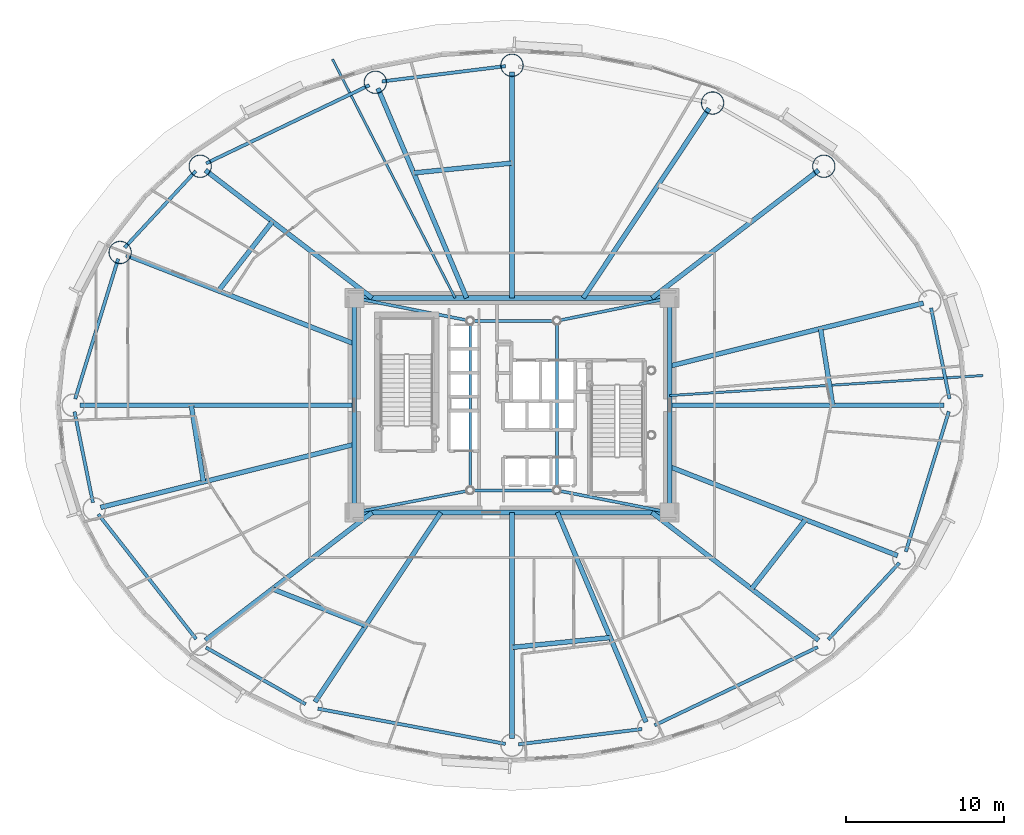
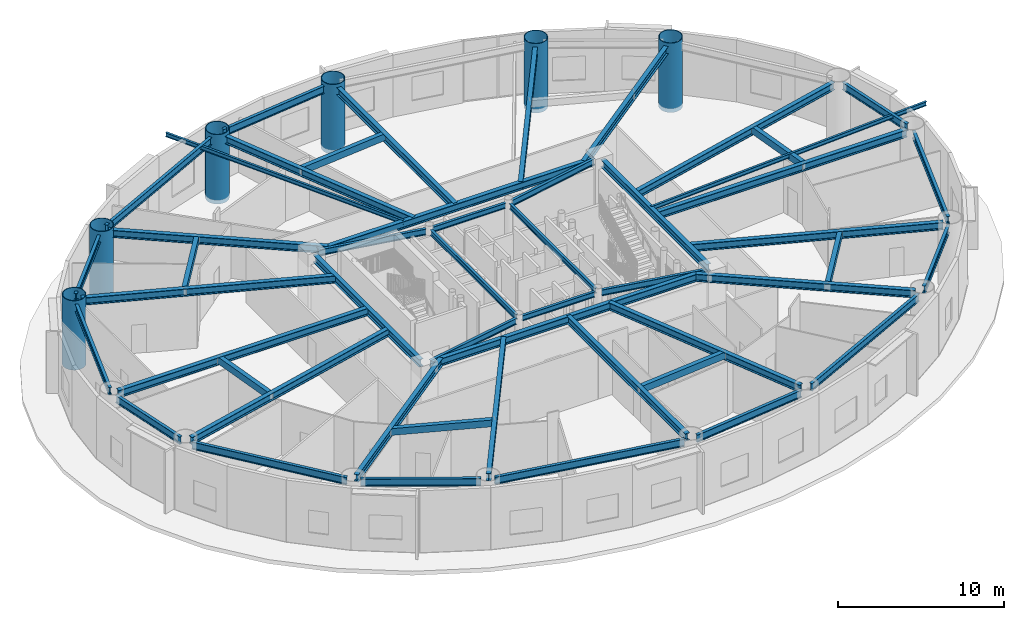
# One storey, part 3 of 19: 50 beams, 6 columns.
"""IFC4 building model written with IfcOpenShell, lengths in metres."""

from ifc_helpers import new_model, si_unit, direction, frame, origin, origin_2d, place, context, subcontext, project, spatial, hollow_rectangle, hollow_circle, i_section, extrude, material, material_profile, profile_set, type_object, element, save


model = new_model("IFC4")

# Units and contexts
model_context = context("Model", 3, precision=1e-05, world=origin(), true_north=direction((0.0, 1.0)))
body_context = subcontext(model_context, "Body", "Model", "MODEL_VIEW")
ifc_project = project(units=[si_unit("LENGTHUNIT", "METRE"), si_unit("AREAUNIT", "SQUARE_METRE"), si_unit("VOLUMEUNIT", "CUBIC_METRE"), si_unit("PLANEANGLEUNIT", "RADIAN"), si_unit("MASSUNIT", "GRAM", prefix="KILO")], contexts=[model_context])

# Site, building, storey
site_placement = place(None, origin())
site = spatial("IfcSite", under=ifc_project, at=site_placement, CompositionType="ELEMENT")
building_placement = place(site_placement, origin())
building = spatial("IfcBuilding", under=site, at=building_placement, Name="Linh Dai School and Residence Tower", CompositionType="ELEMENT")
storey_placement = place(building_placement, frame((0.0, 0.0, 92.39990234375)))
storey = spatial("IfcBuildingStorey", under=building, at=storey_placement, Name="L21", CompositionType="ELEMENT", Elevation=92.39990234375)

# Columns
ifc_material = material(Name="Structural Steel S355JR", Category="steel")
ifc_material_profile_1 = material_profile(ifc_material, hollow_circle(Radius=0.72509765625, WallThickness=0.0419921875, at=origin_2d()), Name="CHS 1450x42")
ifc_profile_set_1 = profile_set([ifc_material_profile_1], Name="Structural Steel S355JR")
column_type = type_object("IfcColumnType", Name="COL-MC3", PredefinedType="COLUMN", material=ifc_profile_set_1)
for number, where, z_axis, x_axis, name in (
    (1, (55.772705078125, 42.155517578125, -0.2998046875), (0.0, 0.0, 1.0), (1.0, 0.0, 0.0), "L21 Perimeter CFT Mega-Column MC03"),
    (2, (48.721923828125, 46.1650390625, -0.2998046875), (0.0, 0.0, 1.0), (1.0, 0.0, 0.0), "L21 Perimeter CFT Mega-Column MC04"),
    (3, (36.0, 48.554931640625, -0.2998046875), (0.0, 0.0, 1.0), (1.0, 0.0, 0.0), "L21 Perimeter CFT Mega-Column MC05"),
    (4, (27.33447265625, 47.480712890625, -0.2998046875), (0.0, 0.0, 1.0), (1.0, 0.0, 0.0), "L21 Perimeter CFT Mega-Column MC06"),
    (5, (16.227294921875, 42.155517578125, -0.2998046875), (0.0, 0.0, 1.0), (1.0, 0.0, 0.0), "L21 Perimeter CFT Mega-Column MC07"),
    (6, (11.15087890625, 36.6875, -0.2998046875), (0.0, 0.0, 1.0), (1.0, 0.0, 0.0), "L21 Perimeter CFT Mega-Column MC08"),
):
    element("IfcColumn", number, at=place(storey_placement, frame(where, z_axis=z_axis, x_axis=x_axis)), inside=storey, type_object=column_type, Name=name, PredefinedType="COLUMN", context=body_context, shape_type="SweptSolid", body=[
        extrude(hollow_circle(Radius=0.72509765625, WallThickness=0.0419921875, at=origin_2d()), origin(), (0.0, 0.0, 1.0), 5.099853515625),
    ])

# Beams
ifc_material_profile_2 = material_profile(ifc_material, i_section(OverallWidth=0.14990234375, OverallDepth=0.300048828125, WebThickness=0.007080078125, FlangeThickness=0.0107421875, at=origin_2d()), Name="IPE 300")
ifc_profile_set_2 = profile_set([ifc_material_profile_2], Name="Structural Steel S355JR")
beam_type_1 = type_object("IfcBeamType", Name="BM-BALC-CANT", PredefinedType="BEAM", material=ifc_profile_set_2)
beam_1_placement = place(storey_placement, frame((46.0, 27.614501953125, 4.400146484375), z_axis=(0.997959538663, 0.063849504236, 0.0), x_axis=(-0.063849504236, 0.997959538663, 0.0)))
element("IfcBeam", 7, at=beam_1_placement, inside=storey, type_object=beam_type_1, Name="L22 Balcony Continuous Cantilever Beam 01", PredefinedType="BEAM", context=body_context, shape_type="SweptSolid", body=[
    extrude(i_section(OverallWidth=0.14990234375, OverallDepth=0.300048828125, WebThickness=0.007080078125, FlangeThickness=0.0107421875, at=origin_2d()), origin(), (0.0, 0.0, 1.0), 19.91748046875),
])
beam_2_placement = place(storey_placement, frame((32.39501953125, 33.800048828125, 4.400146484375), z_axis=(-0.456823084527, 0.889557569493, 0.0), x_axis=(-0.889557569493, -0.456823084527, 0.0)))
element("IfcBeam", 8, at=beam_2_placement, inside=storey, type_object=beam_type_1, Name="L22 Balcony Continuous Cantilever Beam 13", PredefinedType="BEAM", context=body_context, shape_type="SweptSolid", body=[
    extrude(i_section(OverallWidth=0.14990234375, OverallDepth=0.300048828125, WebThickness=0.007080078125, FlangeThickness=0.0107421875, at=origin_2d()), origin(), (0.0, 0.0, 1.0), 17.027099609375),
])
ifc_material_profile_3 = material_profile(ifc_material, hollow_rectangle(XDim=0.300048828125, YDim=0.5, WallThickness=0.01611328125, at=origin_2d()), Name="RHS 500x300x16")
ifc_profile_set_3 = profile_set([ifc_material_profile_3], Name="Structural Steel S355JR")
beam_type_2 = type_object("IfcBeamType", Name="BM-BX5", PredefinedType="BEAM", material=ifc_profile_set_3)
beam_3_placement = place(storey_placement, frame((56.337646484375, 27.0048828125, 4.300048828125), z_axis=(-0.157026901302, 0.987594325757, 0.0), x_axis=(-0.987594325757, -0.157026901302, 0.0)))
element("IfcBeam", 9, at=beam_3_placement, inside=storey, type_object=beam_type_2, Name="L21 Secondary Circumferential Floor Beam 01", PredefinedType="BEAM", context=body_context, shape_type="SweptSolid", body=[
    extrude(hollow_rectangle(XDim=0.300048828125, YDim=0.5, WallThickness=0.01611328125, at=origin_2d()), origin(), (0.0, 0.0, 1.0), 4.91162109375),
])
beam_4_placement = place(storey_placement, frame((35.9951171875, 42.357421875, 4.300048828125), z_axis=(-0.995043370853, -0.099441893196, 0.0), x_axis=(0.099441893196, -0.995043370853, 0.0)))
element("IfcBeam", 10, at=beam_4_placement, inside=storey, type_object=beam_type_2, Name="L21 Secondary Circumferential Floor Beam 03", PredefinedType="BEAM", context=body_context, shape_type="SweptSolid", body=[
    extrude(hollow_rectangle(XDim=0.300048828125, YDim=0.5, WallThickness=0.01611328125, at=origin_2d()), origin(), (0.0, 0.0, 1.0), 6.255615234375),
])
beam_5_placement = place(storey_placement, frame((20.802734375, 38.64208984375, 4.300048828125), z_axis=(-0.614369629322, -0.789018351223, 0.0), x_axis=(0.789018351223, -0.614369629322, 0.0)))
element("IfcBeam", 11, at=beam_5_placement, inside=storey, type_object=beam_type_2, Name="L21 Secondary Circumferential Floor Beam 04", PredefinedType="BEAM", context=body_context, shape_type="SweptSolid", body=[
    extrude(hollow_rectangle(XDim=0.300048828125, YDim=0.5, WallThickness=0.01611328125, at=origin_2d()), origin(), (0.0, 0.0, 1.0), 5.553955078125),
])
beam_6_placement = place(storey_placement, frame((15.662353515625, 26.9951171875, 4.300048828125), z_axis=(0.157026901302, -0.987594325757, 0.0), x_axis=(0.987594325757, 0.157026901302, 0.0)))
element("IfcBeam", 12, at=beam_6_placement, inside=storey, type_object=beam_type_2, Name="L21 Secondary Circumferential Floor Beam 05", PredefinedType="BEAM", context=body_context, shape_type="SweptSolid", body=[
    extrude(hollow_rectangle(XDim=0.300048828125, YDim=0.5, WallThickness=0.01611328125, at=origin_2d()), origin(), (0.0, 0.0, 1.0), 4.91162109375),
])
beam_7_placement = place(storey_placement, frame((20.810546875, 15.35205078125, 4.300048828125), z_axis=(0.930742146732, -0.365676163151, 0.0), x_axis=(0.365676163151, 0.930742146732, 0.0)))
element("IfcBeam", 13, at=beam_7_placement, inside=storey, type_object=beam_type_2, Name="L21 Secondary Circumferential Floor Beam 06", PredefinedType="BEAM", context=body_context, shape_type="SweptSolid", body=[
    extrude(hollow_rectangle(XDim=0.300048828125, YDim=0.5, WallThickness=0.01611328125, at=origin_2d()), origin(), (0.0, 0.0, 1.0), 6.349853515625),
])
beam_8_placement = place(storey_placement, frame((36.0048828125, 11.642578125, 4.300048828125), z_axis=(0.995043370853, 0.099441893196, 0.0), x_axis=(-0.099441893196, 0.995043370853, 0.0)))
element("IfcBeam", 14, at=beam_8_placement, inside=storey, type_object=beam_type_2, Name="L21 Secondary Circumferential Floor Beam 07", PredefinedType="BEAM", context=body_context, shape_type="SweptSolid", body=[
    extrude(hollow_rectangle(XDim=0.300048828125, YDim=0.5, WallThickness=0.01611328125, at=origin_2d()), origin(), (0.0, 0.0, 1.0), 6.255615234375),
])
beam_9_placement = place(storey_placement, frame((51.197265625, 15.35791015625, 4.300048828125), z_axis=(0.614369629322, 0.789018351223, 0.0), x_axis=(-0.789018351223, 0.614369629322, 0.0)))
element("IfcBeam", 15, at=beam_9_placement, inside=storey, type_object=beam_type_2, Name="L21 Secondary Circumferential Floor Beam 08", PredefinedType="BEAM", context=body_context, shape_type="SweptSolid", body=[
    extrude(hollow_rectangle(XDim=0.300048828125, YDim=0.5, WallThickness=0.01611328125, at=origin_2d()), origin(), (0.0, 0.0, 1.0), 5.553955078125),
])
ifc_material_profile_4 = material_profile(ifc_material, i_section(OverallWidth=0.2099609375, OverallDepth=0.550048828125, WebThickness=0.010986328125, FlangeThickness=0.01708984375, FilletRadius=0.02392578125, at=origin_2d()), Name="IPE 550")
ifc_profile_set_4 = profile_set([ifc_material_profile_4], Name="Structural Steel S355JR")
beam_type_3 = type_object("IfcBeamType", Name="BM-RB55", PredefinedType="BEAM", material=ifc_profile_set_4)
beam_10_placement = place(storey_placement, frame((63.74169921875, 27.41162109375, 4.275146484375), z_axis=(-0.198441254313, 0.980112783605, 0.0), x_axis=(-0.980112783605, -0.198441254313, 0.0)))
element("IfcBeam", 16, at=beam_10_placement, inside=storey, type_object=beam_type_3, Name="L21 Perimeter Elliptical Ring Beam 01", PredefinedType="BEAM", context=body_context, shape_type="SweptSolid", body=[
    extrude(i_section(OverallWidth=0.2099609375, OverallDepth=0.550048828125, WebThickness=0.010986328125, FlangeThickness=0.01708984375, FilletRadius=0.02392578125, at=origin_2d()), origin(), (0.0, 0.0, 1.0), 5.874755859375),
])
beam_11_placement = place(storey_placement, frame((35.583251953125, 48.50341796875, 4.275146484375), z_axis=(-0.992399234854, -0.123059979933, 0.0), x_axis=(0.123059979933, -0.992399234854, 0.0)))
element("IfcBeam", 17, at=beam_11_placement, inside=storey, type_object=beam_type_3, Name="L21 Perimeter Elliptical Ring Beam 05", PredefinedType="BEAM", context=body_context, shape_type="SweptSolid", body=[
    extrude(i_section(OverallWidth=0.2099609375, OverallDepth=0.550048828125, WebThickness=0.010986328125, FlangeThickness=0.01708984375, FilletRadius=0.02392578125, at=origin_2d()), origin(), (0.0, 0.0, 1.0), 7.89208984375),
])
beam_12_placement = place(storey_placement, frame((26.955810546875, 47.299072265625, 4.275146484375), z_axis=(-0.901715153312, -0.432330640005, 0.0), x_axis=(0.432330640005, -0.901715153312, 0.0)))
element("IfcBeam", 18, at=beam_12_placement, inside=storey, type_object=beam_type_3, Name="L21 Perimeter Elliptical Ring Beam 06", PredefinedType="BEAM", context=body_context, shape_type="SweptSolid", body=[
    extrude(i_section(OverallWidth=0.2099609375, OverallDepth=0.550048828125, WebThickness=0.010986328125, FlangeThickness=0.01708984375, FilletRadius=0.02392578125, at=origin_2d()), origin(), (0.0, 0.0, 1.0), 11.477783203125),
])
beam_13_placement = place(storey_placement, frame((15.941650390625, 41.84765625, 4.275146484375), z_axis=(-0.680384623752, -0.732855213369, 0.0), x_axis=(0.732855213369, -0.680384623752, 0.0)))
element("IfcBeam", 19, at=beam_13_placement, inside=storey, type_object=beam_type_3, Name="L21 Perimeter Elliptical Ring Beam 07", PredefinedType="BEAM", context=body_context, shape_type="SweptSolid", body=[
    extrude(i_section(OverallWidth=0.2099609375, OverallDepth=0.550048828125, WebThickness=0.010986328125, FlangeThickness=0.01708984375, FilletRadius=0.02392578125, at=origin_2d()), origin(), (0.0, 0.0, 1.0), 6.62109375),
])
beam_14_placement = place(storey_placement, frame((11.027587890625, 36.2861328125, 4.275146484375), z_axis=(-0.29364097848, -0.95591577859, 0.0), x_axis=(0.95591577859, -0.29364097848, 0.0)))
element("IfcBeam", 20, at=beam_14_placement, inside=storey, type_object=beam_type_3, Name="L21 Perimeter Elliptical Ring Beam 08", PredefinedType="BEAM", context=body_context, shape_type="SweptSolid", body=[
    extrude(i_section(OverallWidth=0.2099609375, OverallDepth=0.550048828125, WebThickness=0.010986328125, FlangeThickness=0.01708984375, FilletRadius=0.02392578125, at=origin_2d()), origin(), (0.0, 0.0, 1.0), 9.29443359375),
])
beam_15_placement = place(storey_placement, frame((8.25830078125, 26.58837890625, 4.275146484375), z_axis=(0.198441254313, -0.980112783605, 0.0), x_axis=(0.980112783605, 0.198441254313, 0.0)))
element("IfcBeam", 21, at=beam_15_placement, inside=storey, type_object=beam_type_3, Name="L21 Perimeter Elliptical Ring Beam 09", PredefinedType="BEAM", context=body_context, shape_type="SweptSolid", body=[
    extrude(i_section(OverallWidth=0.2099609375, OverallDepth=0.550048828125, WebThickness=0.010986328125, FlangeThickness=0.01708984375, FilletRadius=0.02392578125, at=origin_2d()), origin(), (0.0, 0.0, 1.0), 5.874755859375),
])
beam_16_placement = place(storey_placement, frame((9.766357421875, 20.08837890625, 4.275146484375), z_axis=(0.616854830973, -0.787076945098, 0.0), x_axis=(0.787076945098, 0.616854830973, 0.0)))
element("IfcBeam", 22, at=beam_16_placement, inside=storey, type_object=beam_type_3, Name="L21 Perimeter Elliptical Ring Beam 10", PredefinedType="BEAM", context=body_context, shape_type="SweptSolid", body=[
    extrude(i_section(OverallWidth=0.2099609375, OverallDepth=0.550048828125, WebThickness=0.010986328125, FlangeThickness=0.01708984375, FilletRadius=0.02392578125, at=origin_2d()), origin(), (0.0, 0.0, 1.0), 10.053955078125),
])
beam_17_placement = place(storey_placement, frame((16.592529296875, 11.636962890625, 4.275146484375), z_axis=(0.86927031475, -0.494337050902, 0.0), x_axis=(0.494337050902, 0.86927031475, 0.0)))
element("IfcBeam", 23, at=beam_17_placement, inside=storey, type_object=beam_type_3, Name="L21 Perimeter Elliptical Ring Beam 11", PredefinedType="BEAM", context=body_context, shape_type="SweptSolid", body=[
    extrude(i_section(OverallWidth=0.2099609375, OverallDepth=0.550048828125, WebThickness=0.010986328125, FlangeThickness=0.01708984375, FilletRadius=0.02392578125, at=origin_2d()), origin(), (0.0, 0.0, 1.0), 7.270751953125),
])
beam_18_placement = place(storey_placement, frame((23.69091796875, 7.75732421875, 4.275146484375), z_axis=(0.982807507457, -0.184633158685, 0.0), x_axis=(0.184633158685, 0.982807507457, 0.0)))
element("IfcBeam", 24, at=beam_18_placement, inside=storey, type_object=beam_type_3, Name="L21 Perimeter Elliptical Ring Beam 12", PredefinedType="BEAM", context=body_context, shape_type="SweptSolid", body=[
    extrude(i_section(OverallWidth=0.2099609375, OverallDepth=0.550048828125, WebThickness=0.010986328125, FlangeThickness=0.01708984375, FilletRadius=0.02392578125, at=origin_2d()), origin(), (0.0, 0.0, 1.0), 12.104248046875),
])
beam_19_placement = place(storey_placement, frame((36.416748046875, 5.49658203125, 4.275146484375), z_axis=(0.992399234854, 0.123059979933, 0.0), x_axis=(-0.123059979933, 0.992399234854, 0.0)))
element("IfcBeam", 25, at=beam_19_placement, inside=storey, type_object=beam_type_3, Name="L21 Perimeter Elliptical Ring Beam 13", PredefinedType="BEAM", context=body_context, shape_type="SweptSolid", body=[
    extrude(i_section(OverallWidth=0.2099609375, OverallDepth=0.550048828125, WebThickness=0.010986328125, FlangeThickness=0.01708984375, FilletRadius=0.02392578125, at=origin_2d()), origin(), (0.0, 0.0, 1.0), 7.89208984375),
])
beam_20_placement = place(storey_placement, frame((45.044189453125, 6.700927734375, 4.275146484375), z_axis=(0.901715153312, 0.432330640005, 0.0), x_axis=(-0.432330640005, 0.901715153312, 0.0)))
element("IfcBeam", 26, at=beam_20_placement, inside=storey, type_object=beam_type_3, Name="L21 Perimeter Elliptical Ring Beam 14", PredefinedType="BEAM", context=body_context, shape_type="SweptSolid", body=[
    extrude(i_section(OverallWidth=0.2099609375, OverallDepth=0.550048828125, WebThickness=0.010986328125, FlangeThickness=0.01708984375, FilletRadius=0.02392578125, at=origin_2d()), origin(), (0.0, 0.0, 1.0), 11.477783203125),
])
beam_21_placement = place(storey_placement, frame((56.058349609375, 12.15234375, 4.275146484375), z_axis=(0.680384623752, 0.732855213369, 0.0), x_axis=(-0.732855213369, 0.680384623752, 0.0)))
element("IfcBeam", 27, at=beam_21_placement, inside=storey, type_object=beam_type_3, Name="L21 Perimeter Elliptical Ring Beam 15", PredefinedType="BEAM", context=body_context, shape_type="SweptSolid", body=[
    extrude(i_section(OverallWidth=0.2099609375, OverallDepth=0.550048828125, WebThickness=0.010986328125, FlangeThickness=0.01708984375, FilletRadius=0.02392578125, at=origin_2d()), origin(), (0.0, 0.0, 1.0), 6.62109375),
])
beam_22_placement = place(storey_placement, frame((60.972412109375, 17.7138671875, 4.275146484375), z_axis=(0.29364097848, 0.95591577859, 0.0), x_axis=(-0.95591577859, 0.29364097848, 0.0)))
element("IfcBeam", 28, at=beam_22_placement, inside=storey, type_object=beam_type_3, Name="L21 Perimeter Elliptical Ring Beam 16", PredefinedType="BEAM", context=body_context, shape_type="SweptSolid", body=[
    extrude(i_section(OverallWidth=0.2099609375, OverallDepth=0.550048828125, WebThickness=0.010986328125, FlangeThickness=0.01708984375, FilletRadius=0.02392578125, at=origin_2d()), origin(), (0.0, 0.0, 1.0), 9.29443359375),
])
ifc_material_profile_5 = material_profile(ifc_material, i_section(OverallWidth=0.300048828125, OverallDepth=0.550048828125, WebThickness=0.014892578125, FlangeThickness=0.029052734375, FilletRadius=0.027099609375, at=origin_2d()), Name="HEB 550")
ifc_profile_set_5 = profile_set([ifc_material_profile_5], Name="Structural Steel S355JR")
beam_type_4 = type_object("IfcBeamType", Name="BM-RG55", PredefinedType="BEAM", material=ifc_profile_set_5)
beam_23_placement = place(storey_placement, frame((26.419921875, 20.199951171875, 4.275146484375), z_axis=(1.0, 0.0, 0.0), x_axis=(0.0, 1.0, 0.0)))
element("IfcBeam", 29, at=beam_23_placement, inside=storey, type_object=beam_type_4, Name="L21 Core Perimeter Coupling Girder 1", PredefinedType="BEAM", context=body_context, shape_type="SweptSolid", body=[
    extrude(i_section(OverallWidth=0.300048828125, OverallDepth=0.550048828125, WebThickness=0.014892578125, FlangeThickness=0.029052734375, FilletRadius=0.027099609375, at=origin_2d()), origin(), (0.0, 0.0, 1.0), 19.16015625),
])
beam_24_placement = place(storey_placement, frame((46.0, 20.6201171875, 4.275146484375), z_axis=(0.0, 1.0, 0.0), x_axis=(-1.0, 0.0, 0.0)))
element("IfcBeam", 30, at=beam_24_placement, inside=storey, type_object=beam_type_4, Name="L21 Core Perimeter Coupling Girder 2", PredefinedType="BEAM", context=body_context, shape_type="SweptSolid", body=[
    extrude(i_section(OverallWidth=0.300048828125, OverallDepth=0.550048828125, WebThickness=0.014892578125, FlangeThickness=0.029052734375, FilletRadius=0.027099609375, at=origin_2d()), origin(), (0.0, 0.0, 1.0), 12.759765625),
])
beam_25_placement = place(storey_placement, frame((45.580078125, 33.800048828125, 4.275146484375), z_axis=(-1.0, 0.0, 0.0), x_axis=(0.0, -1.0, 0.0)))
element("IfcBeam", 31, at=beam_25_placement, inside=storey, type_object=beam_type_4, Name="L21 Core Perimeter Coupling Girder 3", PredefinedType="BEAM", context=body_context, shape_type="SweptSolid", body=[
    extrude(i_section(OverallWidth=0.300048828125, OverallDepth=0.550048828125, WebThickness=0.014892578125, FlangeThickness=0.029052734375, FilletRadius=0.027099609375, at=origin_2d()), origin(), (0.0, 0.0, 1.0), 19.16015625),
])
beam_26_placement = place(storey_placement, frame((26.0, 33.3798828125, 4.275146484375), z_axis=(0.0, -1.0, 0.0), x_axis=(1.0, 0.0, 0.0)))
element("IfcBeam", 32, at=beam_26_placement, inside=storey, type_object=beam_type_4, Name="L21 Core Perimeter Coupling Girder 4", PredefinedType="BEAM", context=body_context, shape_type="SweptSolid", body=[
    extrude(i_section(OverallWidth=0.300048828125, OverallDepth=0.550048828125, WebThickness=0.014892578125, FlangeThickness=0.029052734375, FilletRadius=0.027099609375, at=origin_2d()), origin(), (0.0, 0.0, 1.0), 12.759765625),
])
beam_27_placement = place(storey_placement, frame((46.0, 27.0, 4.275146484375), z_axis=(1.0, 0.0, 0.0), x_axis=(0.0, 1.0, 0.0)))
element("IfcBeam", 33, at=beam_27_placement, inside=storey, type_object=beam_type_4, Name="L21 Primary Radial Floor Girder 01", PredefinedType="BEAM", context=body_context, shape_type="SweptSolid", body=[
    extrude(i_section(OverallWidth=0.300048828125, OverallDepth=0.550048828125, WebThickness=0.014892578125, FlangeThickness=0.029052734375, FilletRadius=0.027099609375, at=origin_2d()), origin(), (0.0, 0.0, 1.0), 17.405029296875),
])
beam_28_placement = place(storey_placement, frame((46.0, 29.484130859375, 4.275146484375), z_axis=(0.970505338376, 0.241079630379, 0.0), x_axis=(-0.241079630379, 0.970505338376, 0.0)))
element("IfcBeam", 34, at=beam_28_placement, inside=storey, type_object=beam_type_4, Name="L21 Primary Radial Floor Girder 02", PredefinedType="BEAM", context=body_context, shape_type="SweptSolid", body=[
    extrude(i_section(OverallWidth=0.300048828125, OverallDepth=0.550048828125, WebThickness=0.014892578125, FlangeThickness=0.029052734375, FilletRadius=0.027099609375, at=origin_2d()), origin(), (0.0, 0.0, 1.0), 16.57373046875),
])
beam_29_placement = place(storey_placement, frame((44.87158203125, 33.800048828125, 4.275146484375), z_axis=(0.793678660795, 0.608337228352, 0.0), x_axis=(-0.608337228352, 0.793678660795, 0.0)))
element("IfcBeam", 35, at=beam_29_placement, inside=storey, type_object=beam_type_4, Name="L21 Primary Radial Floor Girder 03", PredefinedType="BEAM", context=body_context, shape_type="SweptSolid", body=[
    extrude(i_section(OverallWidth=0.300048828125, OverallDepth=0.550048828125, WebThickness=0.014892578125, FlangeThickness=0.029052734375, FilletRadius=0.027099609375, at=origin_2d()), origin(), (0.0, 0.0, 1.0), 13.314697265625),
])
beam_30_placement = place(storey_placement, frame((40.513916015625, 33.800048828125, 4.275146484375), z_axis=(0.553054392401, 0.833145148846, 0.0), x_axis=(-0.833145148846, 0.553054392401, 0.0)))
element("IfcBeam", 36, at=beam_30_placement, inside=storey, type_object=beam_type_4, Name="L21 Primary Radial Floor Girder 04", PredefinedType="BEAM", context=body_context, shape_type="SweptSolid", body=[
    extrude(i_section(OverallWidth=0.300048828125, OverallDepth=0.550048828125, WebThickness=0.014892578125, FlangeThickness=0.029052734375, FilletRadius=0.027099609375, at=origin_2d()), origin(), (0.0, 0.0, 1.0), 14.42138671875),
])
beam_31_placement = place(storey_placement, frame((36.0, 33.800048828125, 4.275146484375), z_axis=(0.0, 1.0, 0.0), x_axis=(-1.0, 0.0, 0.0)))
element("IfcBeam", 37, at=beam_31_placement, inside=storey, type_object=beam_type_4, Name="L21 Primary Radial Floor Girder 05", PredefinedType="BEAM", context=body_context, shape_type="SweptSolid", body=[
    extrude(i_section(OverallWidth=0.300048828125, OverallDepth=0.550048828125, WebThickness=0.014892578125, FlangeThickness=0.029052734375, FilletRadius=0.027099609375, at=origin_2d()), origin(), (0.0, 0.0, 1.0), 14.3349609375),
])
beam_32_placement = place(storey_placement, frame((33.122802734375, 33.800048828125, 4.275146484375), z_axis=(-0.389669233739, 0.920954878524, 0.0), x_axis=(-0.920954878524, -0.389669233739, 0.0)))
element("IfcBeam", 38, at=beam_32_placement, inside=storey, type_object=beam_type_4, Name="L21 Primary Radial Floor Girder 06", PredefinedType="BEAM", context=body_context, shape_type="SweptSolid", body=[
    extrude(i_section(OverallWidth=0.300048828125, OverallDepth=0.550048828125, WebThickness=0.014892578125, FlangeThickness=0.029052734375, FilletRadius=0.027099609375, at=origin_2d()), origin(), (0.0, 0.0, 1.0), 14.434814453125),
])
beam_33_placement = place(storey_placement, frame((27.12841796875, 33.800048828125, 4.275146484375), z_axis=(-0.793678660795, 0.608337228352, 0.0), x_axis=(-0.608337228352, -0.793678660795, 0.0)))
element("IfcBeam", 39, at=beam_33_placement, inside=storey, type_object=beam_type_4, Name="L21 Primary Radial Floor Girder 07", PredefinedType="BEAM", context=body_context, shape_type="SweptSolid", body=[
    extrude(i_section(OverallWidth=0.300048828125, OverallDepth=0.550048828125, WebThickness=0.014892578125, FlangeThickness=0.029052734375, FilletRadius=0.027099609375, at=origin_2d()), origin(), (0.0, 0.0, 1.0), 13.314697265625),
])
beam_34_placement = place(storey_placement, frame((26.0, 30.8984375, 4.275146484375), z_axis=(-0.931699338449, 0.363230426498, 0.0), x_axis=(-0.363230426498, -0.931699338449, 0.0)))
element("IfcBeam", 40, at=beam_34_placement, inside=storey, type_object=beam_type_4, Name="L21 Primary Radial Floor Girder 08", PredefinedType="BEAM", context=body_context, shape_type="SweptSolid", body=[
    extrude(i_section(OverallWidth=0.300048828125, OverallDepth=0.550048828125, WebThickness=0.014892578125, FlangeThickness=0.029052734375, FilletRadius=0.027099609375, at=origin_2d()), origin(), (0.0, 0.0, 1.0), 15.517578125),
])
beam_35_placement = place(storey_placement, frame((26.0, 27.0, 4.275146484375), z_axis=(-1.0, 0.0, 0.0), x_axis=(0.0, -1.0, 0.0)))
element("IfcBeam", 41, at=beam_35_placement, inside=storey, type_object=beam_type_4, Name="L21 Primary Radial Floor Girder 09", PredefinedType="BEAM", context=body_context, shape_type="SweptSolid", body=[
    extrude(i_section(OverallWidth=0.300048828125, OverallDepth=0.550048828125, WebThickness=0.014892578125, FlangeThickness=0.029052734375, FilletRadius=0.027099609375, at=origin_2d()), origin(), (0.0, 0.0, 1.0), 17.405029296875),
])
beam_36_placement = place(storey_placement, frame((26.0, 24.515869140625, 4.275146484375), z_axis=(-0.970505338376, -0.241079630379, 0.0), x_axis=(0.241079630379, -0.970505338376, 0.0)))
element("IfcBeam", 42, at=beam_36_placement, inside=storey, type_object=beam_type_4, Name="L21 Primary Radial Floor Girder 10", PredefinedType="BEAM", context=body_context, shape_type="SweptSolid", body=[
    extrude(i_section(OverallWidth=0.300048828125, OverallDepth=0.550048828125, WebThickness=0.014892578125, FlangeThickness=0.029052734375, FilletRadius=0.027099609375, at=origin_2d()), origin(), (0.0, 0.0, 1.0), 16.57373046875),
])
beam_37_placement = place(storey_placement, frame((27.12841796875, 20.199951171875, 4.275146484375), z_axis=(-0.793678660795, -0.608337228352, 0.0), x_axis=(0.608337228352, -0.793678660795, 0.0)))
element("IfcBeam", 43, at=beam_37_placement, inside=storey, type_object=beam_type_4, Name="L21 Primary Radial Floor Girder 11", PredefinedType="BEAM", context=body_context, shape_type="SweptSolid", body=[
    extrude(i_section(OverallWidth=0.300048828125, OverallDepth=0.550048828125, WebThickness=0.014892578125, FlangeThickness=0.029052734375, FilletRadius=0.027099609375, at=origin_2d()), origin(), (0.0, 0.0, 1.0), 13.314697265625),
])
beam_38_placement = place(storey_placement, frame((31.486083984375, 20.199951171875, 4.275146484375), z_axis=(-0.553054392401, -0.833145148846, 0.0), x_axis=(0.833145148846, -0.553054392401, 0.0)))
element("IfcBeam", 44, at=beam_38_placement, inside=storey, type_object=beam_type_4, Name="L21 Primary Radial Floor Girder 12", PredefinedType="BEAM", context=body_context, shape_type="SweptSolid", body=[
    extrude(i_section(OverallWidth=0.300048828125, OverallDepth=0.550048828125, WebThickness=0.014892578125, FlangeThickness=0.029052734375, FilletRadius=0.027099609375, at=origin_2d()), origin(), (0.0, 0.0, 1.0), 14.42138671875),
])
beam_39_placement = place(storey_placement, frame((36.0, 20.199951171875, 4.275146484375), z_axis=(0.0, -1.0, 0.0), x_axis=(1.0, 0.0, 0.0)))
element("IfcBeam", 45, at=beam_39_placement, inside=storey, type_object=beam_type_4, Name="L21 Primary Radial Floor Girder 13", PredefinedType="BEAM", context=body_context, shape_type="SweptSolid", body=[
    extrude(i_section(OverallWidth=0.300048828125, OverallDepth=0.550048828125, WebThickness=0.014892578125, FlangeThickness=0.029052734375, FilletRadius=0.027099609375, at=origin_2d()), origin(), (0.0, 0.0, 1.0), 14.3349609375),
])
beam_40_placement = place(storey_placement, frame((38.877197265625, 20.199951171875, 4.275146484375), z_axis=(0.389669233739, -0.920954878524, 0.0), x_axis=(0.920954878524, 0.389669233739, 0.0)))
element("IfcBeam", 46, at=beam_40_placement, inside=storey, type_object=beam_type_4, Name="L21 Primary Radial Floor Girder 14", PredefinedType="BEAM", context=body_context, shape_type="SweptSolid", body=[
    extrude(i_section(OverallWidth=0.300048828125, OverallDepth=0.550048828125, WebThickness=0.014892578125, FlangeThickness=0.029052734375, FilletRadius=0.027099609375, at=origin_2d()), origin(), (0.0, 0.0, 1.0), 14.434814453125),
])
beam_41_placement = place(storey_placement, frame((44.87158203125, 20.199951171875, 4.275146484375), z_axis=(0.793678660795, -0.608337228352, 0.0), x_axis=(0.608337228352, 0.793678660795, 0.0)))
element("IfcBeam", 47, at=beam_41_placement, inside=storey, type_object=beam_type_4, Name="L21 Primary Radial Floor Girder 15", PredefinedType="BEAM", context=body_context, shape_type="SweptSolid", body=[
    extrude(i_section(OverallWidth=0.300048828125, OverallDepth=0.550048828125, WebThickness=0.014892578125, FlangeThickness=0.029052734375, FilletRadius=0.027099609375, at=origin_2d()), origin(), (0.0, 0.0, 1.0), 13.314697265625),
])
beam_42_placement = place(storey_placement, frame((46.0, 23.1015625, 4.275146484375), z_axis=(0.931699338449, -0.363230426498, 0.0), x_axis=(0.363230426498, 0.931699338449, 0.0)))
element("IfcBeam", 48, at=beam_42_placement, inside=storey, type_object=beam_type_4, Name="L21 Primary Radial Floor Girder 16", PredefinedType="BEAM", context=body_context, shape_type="SweptSolid", body=[
    extrude(i_section(OverallWidth=0.300048828125, OverallDepth=0.550048828125, WebThickness=0.014892578125, FlangeThickness=0.029052734375, FilletRadius=0.027099609375, at=origin_2d()), origin(), (0.0, 0.0, 1.0), 15.517578125),
])
ifc_material_profile_6 = material_profile(ifc_material, i_section(OverallWidth=0.179931640625, OverallDepth=0.39990234375, WebThickness=0.008544921875, FlangeThickness=0.013427734375, FilletRadius=0.02099609375, at=origin_2d()), Name="IPE 400")
ifc_profile_set_6 = profile_set([ifc_material_profile_6], Name="Structural Steel S355JR")
beam_type_5 = type_object("IfcBeamType", Name="BM-SB40", PredefinedType="BEAM", material=ifc_profile_set_6)
beam_43_placement = place(storey_placement, frame((33.573974609375, 21.60009765625, 4.35009765625), z_axis=(1.0, 0.0, 0.0), x_axis=(0.0, 1.0, 0.0)))
element("IfcBeam", 49, at=beam_43_placement, inside=storey, type_object=beam_type_5, Name="L21 Core Mast Pier Tie Beam 1", PredefinedType="BEAM", context=body_context, shape_type="SweptSolid", body=[
    extrude(i_section(OverallWidth=0.179931640625, OverallDepth=0.39990234375, WebThickness=0.008544921875, FlangeThickness=0.013427734375, FilletRadius=0.02099609375, at=origin_2d()), origin(), (0.0, 0.0, 1.0), 5.052001953125),
])
beam_44_placement = place(storey_placement, frame((38.85009765625, 21.823974609375, 4.35009765625), z_axis=(0.0, 1.0, 0.0), x_axis=(-1.0, 0.0, 0.0)))
element("IfcBeam", 50, at=beam_44_placement, inside=storey, type_object=beam_type_5, Name="L21 Core Mast Pier Tie Beam 2", PredefinedType="BEAM", context=body_context, shape_type="SweptSolid", body=[
    extrude(i_section(OverallWidth=0.179931640625, OverallDepth=0.39990234375, WebThickness=0.008544921875, FlangeThickness=0.013427734375, FilletRadius=0.02099609375, at=origin_2d()), origin(), (0.0, 0.0, 1.0), 10.302001953125),
])
beam_45_placement = place(storey_placement, frame((38.6259765625, 32.35009765625, 4.35009765625), z_axis=(-1.0, 0.0, 0.0), x_axis=(0.0, -1.0, 0.0)))
element("IfcBeam", 51, at=beam_45_placement, inside=storey, type_object=beam_type_5, Name="L21 Core Mast Pier Tie Beam 3", PredefinedType="BEAM", context=body_context, shape_type="SweptSolid", body=[
    extrude(i_section(OverallWidth=0.179931640625, OverallDepth=0.39990234375, WebThickness=0.008544921875, FlangeThickness=0.013427734375, FilletRadius=0.02099609375, at=origin_2d()), origin(), (0.0, 0.0, 1.0), 5.052001953125),
])
beam_46_placement = place(storey_placement, frame((33.35009765625, 32.1259765625, 4.35009765625), z_axis=(0.0, -1.0, 0.0), x_axis=(1.0, 0.0, 0.0)))
element("IfcBeam", 52, at=beam_46_placement, inside=storey, type_object=beam_type_5, Name="L21 Core Mast Pier Tie Beam 4", PredefinedType="BEAM", context=body_context, shape_type="SweptSolid", body=[
    extrude(i_section(OverallWidth=0.179931640625, OverallDepth=0.39990234375, WebThickness=0.008544921875, FlangeThickness=0.013427734375, FilletRadius=0.02099609375, at=origin_2d()), origin(), (0.0, 0.0, 1.0), 10.302001953125),
])
ifc_material_profile_7 = material_profile(ifc_material, i_section(OverallWidth=0.18994140625, OverallDepth=0.449951171875, WebThickness=0.009521484375, FlangeThickness=0.0146484375, FilletRadius=0.02099609375, at=origin_2d()), Name="IPE 450")
ifc_profile_set_7 = profile_set([ifc_material_profile_7], Name="Structural Steel S355JR")
beam_type_6 = type_object("IfcBeamType", Name="BM-SB45", PredefinedType="BEAM", material=ifc_profile_set_7)
beam_47_placement = place(storey_placement, frame((26.41259765625, 20.278564453125, 4.3251953125), z_axis=(0.982337003886, 0.187120311019, 0.0), x_axis=(-0.187120311019, 0.982337003886, 0.0)))
element("IfcBeam", 53, at=beam_47_placement, inside=storey, type_object=beam_type_6, Name="L21 Core Corner-to-Mast Pier Beam 1", PredefinedType="BEAM", context=body_context, shape_type="SweptSolid", body=[
    extrude(i_section(OverallWidth=0.18994140625, OverallDepth=0.449951171875, WebThickness=0.009521484375, FlangeThickness=0.0146484375, FilletRadius=0.02099609375, at=origin_2d()), origin(), (0.0, 0.0, 1.0), 6.838134765625),
])
beam_48_placement = place(storey_placement, frame((45.587890625, 20.28076171875, 4.3251953125), z_axis=(-0.981368554414, 0.192134745446, 0.0), x_axis=(-0.192134745446, -0.981368554414, 0.0)))
element("IfcBeam", 54, at=beam_48_placement, inside=storey, type_object=beam_type_6, Name="L21 Core Corner-to-Mast Pier Beam 2", PredefinedType="BEAM", context=body_context, shape_type="SweptSolid", body=[
    extrude(i_section(OverallWidth=0.18994140625, OverallDepth=0.449951171875, WebThickness=0.009521484375, FlangeThickness=0.0146484375, FilletRadius=0.02099609375, at=origin_2d()), origin(), (0.0, 0.0, 1.0), 6.641845703125),
])
beam_49_placement = place(storey_placement, frame((45.58837890625, 33.716552734375, 4.3251953125), z_axis=(-0.980049140776, -0.19875533116, 0.0), x_axis=(0.19875533116, -0.980049140776, 0.0)))
element("IfcBeam", 55, at=beam_49_placement, inside=storey, type_object=beam_type_6, Name="L21 Core Corner-to-Mast Pier Beam 3", PredefinedType="BEAM", context=body_context, shape_type="SweptSolid", body=[
    extrude(i_section(OverallWidth=0.18994140625, OverallDepth=0.449951171875, WebThickness=0.009521484375, FlangeThickness=0.0146484375, FilletRadius=0.02099609375, at=origin_2d()), origin(), (0.0, 0.0, 1.0), 6.651611328125),
])
beam_50_placement = place(storey_placement, frame((26.412109375, 33.71875, 4.3251953125), z_axis=(0.981087482999, -0.193564848828, 0.0), x_axis=(0.193564848828, 0.981087482999, 0.0)))
element("IfcBeam", 56, at=beam_50_placement, inside=storey, type_object=beam_type_6, Name="L21 Core Corner-to-Mast Pier Beam 4", PredefinedType="BEAM", context=body_context, shape_type="SweptSolid", body=[
    extrude(i_section(OverallWidth=0.18994140625, OverallDepth=0.449951171875, WebThickness=0.009521484375, FlangeThickness=0.0146484375, FilletRadius=0.02099609375, at=origin_2d()), origin(), (0.0, 0.0, 1.0), 6.847412109375),
])

save(model, "model.ifc")
